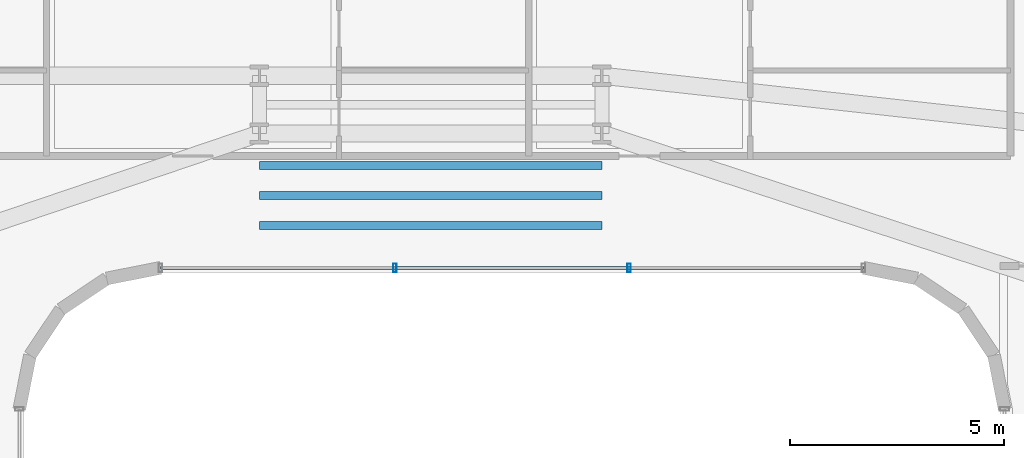
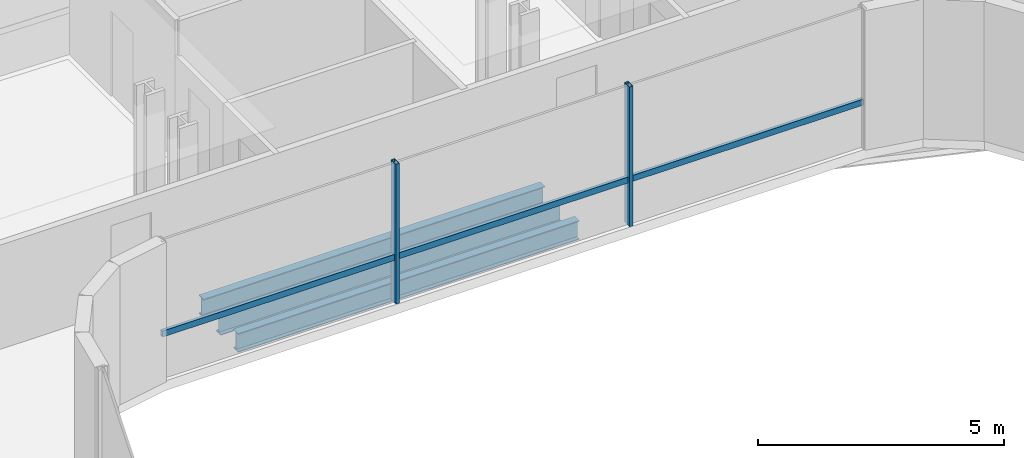
# One storey, part 15 of 41: 3 beams, 3 members, 1 element without a shape of its own.
"""IFC4 building model written with IfcOpenShell, lengths in metres."""

from ifc_helpers import new_model, si_unit, direction, frame, origin, origin_2d, place, context, subcontext, project, spatial, hollow_rectangle, i_section, extrude, source, transform, mapped, material, material_profile, profile_set, type_object, element, aggregate, save


model = new_model("IFC4")

# Units and contexts
model_context = context("Model", 3, precision=1e-05, world=origin(), true_north=direction((0.0, 1.0)))
body_context = subcontext(model_context, "Body", "Model", "MODEL_VIEW")
ifc_project = project(units=[si_unit("LENGTHUNIT", "METRE"), si_unit("AREAUNIT", "SQUARE_METRE"), si_unit("VOLUMEUNIT", "CUBIC_METRE"), si_unit("PLANEANGLEUNIT", "RADIAN"), si_unit("MASSUNIT", "GRAM", prefix="KILO")], contexts=[model_context])

# Site, building, storey
site_placement = place(None, origin())
site = spatial("IfcSite", under=ifc_project, at=site_placement, CompositionType="ELEMENT")
building_placement = place(site_placement, origin())
building = spatial("IfcBuilding", under=site, at=building_placement, Name="Valdorenza Pilgrim Sanctuary Tower", CompositionType="ELEMENT")
storey_placement = place(building_placement, frame((0.0, 0.0, 59.300048828125)))
storey = spatial("IfcBuildingStorey", under=building, at=storey_placement, Name="L14", CompositionType="ELEMENT", Elevation=59.300048828125)

# Beams
ifc_material_1 = material(Name="Steel ASTM A992 Grade 50", Category="steel")
ifc_material_profile_1 = material_profile(ifc_material_1, i_section(OverallWidth=0.193115234375, OverallDepth=0.466064453125, WebThickness=0.011474609375, FlangeThickness=0.01904296875, at=origin_2d()), Name="W18X65")
ifc_profile_set_1 = profile_set([ifc_material_profile_1], Name="Steel ASTM A992 Grade 50")
beam_type = type_object("IfcBeamType", Name="STR-BM-JST-W18A", PredefinedType="JOIST", material=ifc_profile_set_1)
shared_shape_1 = source(origin(), body_context, "Body", "SweptSolid", [
    extrude(i_section(OverallWidth=0.193115234375, OverallDepth=0.466064453125, WebThickness=0.011474609375, FlangeThickness=0.01904296875, at=origin_2d()), origin(), (0.0, 0.0, 1.0), 8.0),
])
for number, where, z_axis, x_axis, name in (
    (1, (-4.0, 11.300048828125, -0.47314453125), (1.0, 0.0, 0.0), (0.0, 1.0, 0.0), "L14 Knuckle Composite Joist JST-KNK-1"),
    (2, (-4.0, 12.0, -0.47314453125), (1.0, 0.0, 0.0), (0.0, 1.0, 0.0), "L14 Knuckle Composite Joist JST-KNK-2"),
    (3, (-4.0, 12.699951171875, -0.47314453125), (1.0, 0.0, 0.0), (0.0, 1.0, 0.0), "L14 Knuckle Composite Joist JST-KNK-3"),
):
    element("IfcBeam", number, at=place(storey_placement, frame(where, z_axis=z_axis, x_axis=x_axis)), inside=storey, type_object=beam_type, Name=name, PredefinedType="JOIST", context=body_context, shape_type="MappedRepresentation", body=[
        mapped(shared_shape_1, transform((0.0, 0.0, 0.0), x_axis=(1.0, 0.0, 0.0), y_axis=(0.0, 1.0, 0.0), z_axis=(0.0, 0.0, 1.0), scale=1.0)),
    ])

# Curtain wall, members
ifc_material_2 = material(Name="Curtain-wall IGU glazing", Category="glass")
curtain_wall_type = type_object("IfcCurtainWallType", Name="CW-SYS-02", PredefinedType="NOTDEFINED", material=ifc_material_2)
curtain_wall_placement = place(storey_placement, origin())
curtain_wall = element("IfcCurtainWall", 4, at=curtain_wall_placement, inside=storey, type_object=curtain_wall_type, Name="L14 Curtain Wall CW-L14-1-36", PredefinedType="NOTDEFINED")
ifc_material_3 = material(Name="Anodised aluminium AW-6060", Category="aluminium")
ifc_material_profile_2 = material_profile(ifc_material_3, hollow_rectangle(XDim=0.0849609375, YDim=0.199951171875, WallThickness=0.0048828125, at=origin_2d()), Name="ALU-M 200x85x5")
ifc_profile_set_2 = profile_set([ifc_material_profile_2], Name="Anodised aluminium AW-6060")
member_type_1 = type_object("IfcMemberType", Name="CW-MUL-02", PredefinedType="MULLION", material=ifc_profile_set_2)
shared_shape_2 = source(origin(), body_context, "Body", "SweptSolid", [
    extrude(hollow_rectangle(XDim=0.0849609375, YDim=0.199951171875, WallThickness=0.0048828125, at=origin_2d()), origin(), (0.0, 0.0, 1.0), 3.4599609375),
])
member_1_placement = place(storey_placement, frame((4.636962890625, 10.31005859375, 0.0), z_axis=(0.0, 0.0, 1.0), x_axis=(-1.0, 0.0, 0.0)))
member_1 = element("IfcMember", 5, at=member_1_placement, type_object=member_type_1, Name="CW-L14-1-36 Mullion 2", PredefinedType="MULLION", context=body_context, shape_type="MappedRepresentation", body=[
    mapped(shared_shape_2, transform((0.0, 0.0, 0.0), x_axis=(1.0, 0.0, 0.0), y_axis=(0.0, 1.0, 0.0), z_axis=(0.0, 0.0, 1.0), scale=1.0)),
])
member_2_placement = place(storey_placement, frame((-0.8369140625, 10.31005859375, 0.0), z_axis=(0.0, 0.0, 1.0), x_axis=(-1.0, 0.0, 0.0)))
member_2 = element("IfcMember", 6, at=member_2_placement, type_object=member_type_1, Name="CW-L14-1-36 Mullion 3", PredefinedType="MULLION", context=body_context, shape_type="MappedRepresentation", body=[
    mapped(shared_shape_2, transform((0.0, 0.0, 0.0), x_axis=(1.0, 0.0, 0.0), y_axis=(0.0, 1.0, 0.0), z_axis=(0.0, 0.0, 1.0), scale=1.0)),
])
ifc_material_profile_3 = material_profile(ifc_material_3, hollow_rectangle(XDim=0.074951171875, YDim=0.14990234375, WallThickness=0.00390625, at=origin_2d()), Name="ALU-T 150x75x4")
ifc_profile_set_3 = profile_set([ifc_material_profile_3], Name="Anodised aluminium AW-6060")
member_type_2 = type_object("IfcMemberType", Name="CW-TRN-02", PredefinedType="USERDEFINED", material=ifc_profile_set_3)
shared_shape_3 = source(origin(), body_context, "Body", "SweptSolid", [
    extrude(hollow_rectangle(XDim=0.074951171875, YDim=0.14990234375, WallThickness=0.00390625, at=origin_2d()), origin(), (0.0, 0.0, 1.0), 16.421630859375),
])
member_3_placement = place(storey_placement, frame((10.11083984375, 10.31005859375, 1.119873046875), z_axis=(-1.0, 0.0, 0.0), x_axis=(0.0, -1.0, 0.0)))
member_3 = element("IfcMember", 7, at=member_3_placement, type_object=member_type_2, Name="CW-L14-1-36 Transom 1", ObjectType="TRANSOM", PredefinedType="USERDEFINED", context=body_context, shape_type="MappedRepresentation", body=[
    mapped(shared_shape_3, transform((0.0, 0.0, 0.0), x_axis=(1.0, 0.0, 0.0), y_axis=(0.0, 1.0, 0.0), z_axis=(0.0, 0.0, 1.0), scale=1.0)),
])
aggregate(curtain_wall, [member_1, member_2, member_3])

save(model, "model.ifc")
